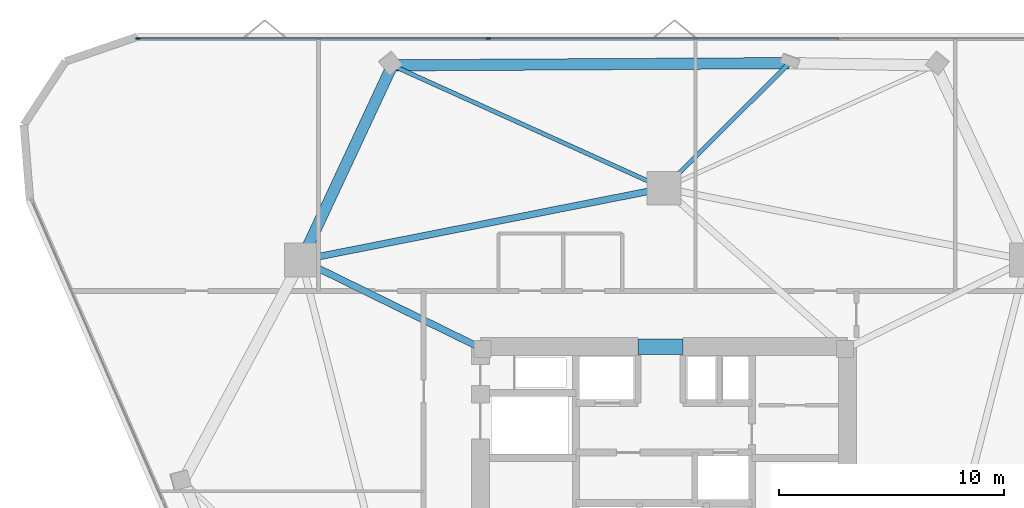
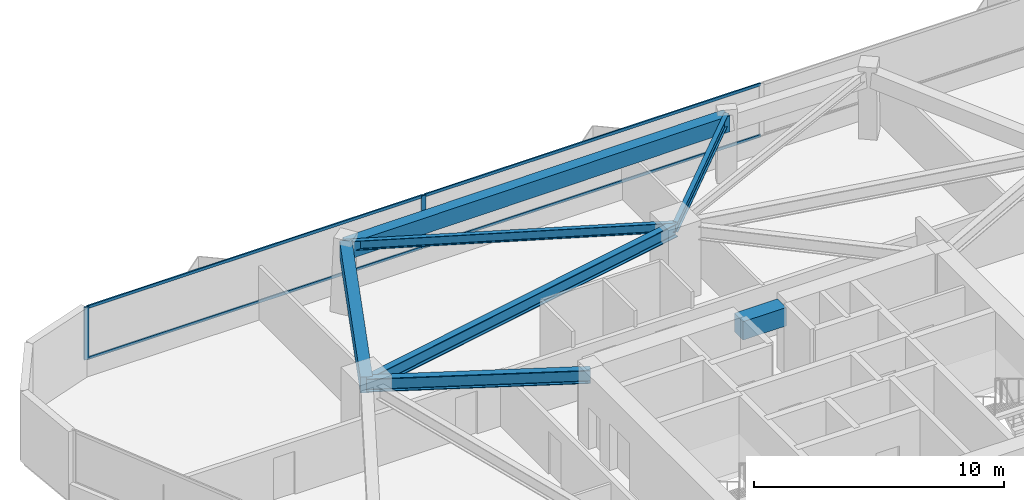
# One storey, part 5 of 11: 7 beams, 6 members, 1 element without a shape of its own.
"""IFC4 building model written with IfcOpenShell, lengths in metres."""

from ifc_helpers import new_model, si_unit, direction, frame, origin, origin_2d, place, context, subcontext, project, spatial, rectangle, i_section, extrude, material, layer, layer_set, material_profile, profile_set, type_object, element, aggregate, save


model = new_model("IFC4")

# Units and contexts
model_context = context("Model", 3, precision=1e-05, world=origin(), true_north=direction((0.0, 1.0)))
body_context = subcontext(model_context, "Body", "Model", "MODEL_VIEW")
ifc_project = project(units=[si_unit("LENGTHUNIT", "METRE"), si_unit("AREAUNIT", "SQUARE_METRE"), si_unit("VOLUMEUNIT", "CUBIC_METRE"), si_unit("PLANEANGLEUNIT", "RADIAN"), si_unit("MASSUNIT", "GRAM", prefix="KILO")], contexts=[model_context])

# Site, building, storey
site_placement = place(None, origin())
site = spatial("IfcSite", under=ifc_project, at=site_placement, CompositionType="ELEMENT")
building_placement = place(site_placement, origin())
building = spatial("IfcBuilding", under=site, at=building_placement, Name="Talyreon Biosciences Tower", CompositionType="ELEMENT")
storey_placement = place(building_placement, frame((0.0, 0.0, 149.10009765625)))
storey = spatial("IfcBuildingStorey", under=building, at=storey_placement, Name="L39", CompositionType="ELEMENT", Elevation=149.10009765625)

# Curtain wall, members
ifc_material_1 = material(Name="Thermally broken aluminium and low-E glazing", Category="aluminium")
ifc_layer = layer(ifc_material_1, 0.205078125)
ifc_layer_set = layer_set([ifc_layer], Name="Thermally broken aluminium and low-E glazing")
curtain_wall_type = type_object("IfcCurtainWallType", Name="CurtainWall_SkyGardenLoggia", PredefinedType="NOTDEFINED", material=ifc_layer_set)
curtain_wall_placement = place(storey_placement, origin())
curtain_wall = element("IfcCurtainWall", 1, at=curtain_wall_placement, inside=storey, type_object=curtain_wall_type, Name="L39 Unitised Curtain Wall FCW-L39-03", PredefinedType="NOTDEFINED")
ifc_material_2 = material(Name="Anodised thermally broken aluminium", Category="aluminium")
ifc_material_profile_1 = material_profile(ifc_material_2, rectangle(XDim=0.074951171875, YDim=0.2099609375, at=origin_2d()), Name="ALUM MULLION 75x210")
ifc_profile_set_1 = profile_set([ifc_material_profile_1], Name="Anodised thermally broken aluminium")
member_type_1 = type_object("IfcMemberType", Name="CWMullion_75x210", PredefinedType="MULLION", material=ifc_profile_set_1)
member_1_placement = place(storey_placement, frame((42.645263671875, 88.439453125, 0.809814453125), z_axis=(0.0, 0.0, 1.0), x_axis=(0.0, 1.0, 0.0)))
member_1 = element("IfcMember", 2, at=member_1_placement, type_object=member_type_1, Name="CW7 mullion 1", PredefinedType="MULLION", context=body_context, shape_type="SweptSolid", body=[
    extrude(rectangle(XDim=0.074951171875, YDim=0.2099609375, at=origin_2d()), origin(), (0.0, 0.0, 1.0), 2.565185546875),
])
member_2_placement = place(storey_placement, frame((58.20263671875, 88.439453125, 0.809814453125), z_axis=(0.0, 0.0, 1.0), x_axis=(0.0, 1.0, 0.0)))
member_2 = element("IfcMember", 3, at=member_2_placement, type_object=member_type_1, Name="CW7 mullion 2", PredefinedType="MULLION", context=body_context, shape_type="SweptSolid", body=[
    extrude(rectangle(XDim=0.074951171875, YDim=0.2099609375, at=origin_2d()), origin(), (0.0, 0.0, 1.0), 2.565185546875),
])
ifc_material_profile_2 = material_profile(ifc_material_2, rectangle(XDim=0.06494140625, YDim=0.139892578125, at=origin_2d()), Name="ALUM TRANSOM 65x140")
ifc_profile_set_2 = profile_set([ifc_material_profile_2], Name="Anodised thermally broken aluminium")
member_type_2 = type_object("IfcMemberType", Name="CWTransom_65x140", PredefinedType="USERDEFINED", material=ifc_profile_set_2)
member_3_placement = place(storey_placement, frame((42.6826171875, 88.439453125, 0.84228515625), z_axis=(1.0, 0.0, 0.0), x_axis=(0.0, 1.0, 0.0)))
member_3 = element("IfcMember", 4, at=member_3_placement, type_object=member_type_2, Name="CW7 transom 1.1", ObjectType="TRANSOM", PredefinedType="USERDEFINED", context=body_context, shape_type="SweptSolid", body=[
    extrude(rectangle(XDim=0.06494140625, YDim=0.139892578125, at=origin_2d()), origin(), (0.0, 0.0, 1.0), 15.482421875),
])
member_4_placement = place(storey_placement, frame((42.6826171875, 88.439453125, 3.34228515625), z_axis=(1.0, 0.0, 0.0), x_axis=(0.0, 1.0, 0.0)))
member_4 = element("IfcMember", 5, at=member_4_placement, type_object=member_type_2, Name="CW7 transom 1.2", ObjectType="TRANSOM", PredefinedType="USERDEFINED", context=body_context, shape_type="SweptSolid", body=[
    extrude(rectangle(XDim=0.06494140625, YDim=0.139892578125, at=origin_2d()), origin(), (0.0, 0.0, 1.0), 15.482421875),
])
member_5_placement = place(storey_placement, frame((58.239990234375, 88.439453125, 0.84228515625), z_axis=(1.0, 0.0, 0.0), x_axis=(0.0, 1.0, 0.0)))
member_5 = element("IfcMember", 6, at=member_5_placement, type_object=member_type_2, Name="CW7 transom 2.1", ObjectType="TRANSOM", PredefinedType="USERDEFINED", context=body_context, shape_type="SweptSolid", body=[
    extrude(rectangle(XDim=0.06494140625, YDim=0.139892578125, at=origin_2d()), origin(), (0.0, 0.0, 1.0), 15.52001953125),
])
member_6_placement = place(storey_placement, frame((58.239990234375, 88.439453125, 3.34228515625), z_axis=(1.0, 0.0, 0.0), x_axis=(0.0, 1.0, 0.0)))
member_6 = element("IfcMember", 7, at=member_6_placement, type_object=member_type_2, Name="CW7 transom 2.2", ObjectType="TRANSOM", PredefinedType="USERDEFINED", context=body_context, shape_type="SweptSolid", body=[
    extrude(rectangle(XDim=0.06494140625, YDim=0.139892578125, at=origin_2d()), origin(), (0.0, 0.0, 1.0), 15.52001953125),
])
aggregate(curtain_wall, [member_1, member_2, member_3, member_4, member_5, member_6])

# Beams
ifc_material_3 = material(Name="Concrete C60/75", Category="concrete")
ifc_material_profile_3 = material_profile(ifc_material_3, rectangle(XDim=0.699951171875, YDim=0.89990234375, at=origin_2d()), Name="RCB 700x900")
ifc_profile_set_3 = profile_set([ifc_material_profile_3], Name="Concrete C60/75")
beam_type_1 = type_object("IfcBeamType", Name="CoreCouplingLintel_700x900", PredefinedType="LINTEL", material=ifc_profile_set_3)
beam_1_placement = place(storey_placement, frame((64.85009765625, 74.75, 2.9248046875), z_axis=(1.0, 0.0, 0.0), x_axis=(0.0, 1.0, 0.0)))
element("IfcBeam", 8, at=beam_1_placement, inside=storey, type_object=beam_type_1, Name="L39 Core Coupling Lintel", PredefinedType="LINTEL", context=body_context, shape_type="SweptSolid", body=[
    extrude(rectangle(XDim=0.699951171875, YDim=0.89990234375, at=origin_2d()), origin(), (0.0, 0.0, 1.0), 2.0),
])
ifc_material_4 = material(Name="Precast concrete C45/55", Category="concrete")
ifc_material_profile_4 = material_profile(ifc_material_4, rectangle(XDim=0.5, YDim=0.780029296875, at=origin_2d()), Name="RCB 500x780")
ifc_profile_set_4 = profile_set([ifc_material_profile_4], Name="Precast concrete C45/55")
beam_type_2 = type_object("IfcBeamType", Name="ExpressedSpandrel_500x780", PredefinedType="SPANDREL", material=ifc_profile_set_4)
beam_2_placement = place(storey_placement, frame((71.56884765625, 87.34716796875, 2.98486328125), z_axis=(-0.999983891024, -0.005676063176, 0.0), x_axis=(0.005676063176, -0.999983891024, 0.0)))
element("IfcBeam", 9, at=beam_2_placement, inside=storey, type_object=beam_type_2, Name="L39 Expressed Horizontal Concrete Spandrel 07", PredefinedType="SPANDREL", context=body_context, shape_type="SweptSolid", body=[
    extrude(rectangle(XDim=0.5, YDim=0.780029296875, at=origin_2d()), origin(), (0.0, 0.0, 1.0), 17.635009765625),
])
beam_3_placement = place(storey_placement, frame((53.93408203125, 87.2470703125, 2.98486328125), z_axis=(-0.422923275634, -0.906165494227, 0.0), x_axis=(0.906165494227, -0.422923275634, 0.0)))
element("IfcBeam", 10, at=beam_3_placement, inside=storey, type_object=beam_type_2, Name="L39 Expressed Horizontal Concrete Spandrel 08", PredefinedType="SPANDREL", context=body_context, shape_type="SweptSolid", body=[
    extrude(rectangle(XDim=0.5, YDim=0.780029296875, at=origin_2d()), origin(), (0.0, 0.0, 1.0), 9.5439453125),
])
ifc_material_5 = material(Name="Steel SM355", Category="steel")
ifc_material_profile_5 = material_profile(ifc_material_5, i_section(OverallWidth=0.300048828125, OverallDepth=0.64990234375, WebThickness=0.01611328125, FlangeThickness=0.031005859375, FilletRadius=0.027099609375, at=origin_2d()), Name="HE650B")
ifc_profile_set_5 = profile_set([ifc_material_profile_5], Name="Steel SM355")
beam_type_3 = type_object("IfcBeamType", Name="SteelBeam_HE650B", PredefinedType="BEAM", material=ifc_profile_set_5)
beam_4_placement = place(storey_placement, frame((66.0, 81.788818359375, 3.0498046875), z_axis=(-0.980933730698, -0.194342522311, 0.0), x_axis=(0.194342522311, -0.980933730698, 0.0)))
element("IfcBeam", 11, at=beam_4_placement, inside=storey, type_object=beam_type_3, Name="L39 Mega-Ring Girder 4", PredefinedType="BEAM", context=body_context, shape_type="SweptSolid", body=[
    extrude(i_section(OverallWidth=0.300048828125, OverallDepth=0.64990234375, WebThickness=0.01611328125, FlangeThickness=0.031005859375, FilletRadius=0.027099609375, at=origin_2d()), origin(), (0.0, 0.0, 1.0), 16.415283203125),
])
beam_5_placement = place(storey_placement, frame((57.949951171875, 74.64990234375, 3.0498046875), z_axis=(-0.897852360314, 0.440296648952, 0.0), x_axis=(-0.440296648952, -0.897852360314, 0.0)))
element("IfcBeam", 12, at=beam_5_placement, inside=storey, type_object=beam_type_3, Name="L39 Radial Primary Girder 5", PredefinedType="BEAM", context=body_context, shape_type="SweptSolid", body=[
    extrude(i_section(OverallWidth=0.300048828125, OverallDepth=0.64990234375, WebThickness=0.01611328125, FlangeThickness=0.031005859375, FilletRadius=0.027099609375, at=origin_2d()), origin(), (0.0, 0.0, 1.0), 8.96826171875),
])
ifc_material_profile_6 = material_profile(ifc_material_5, i_section(OverallWidth=0.18994140625, OverallDepth=0.449951171875, WebThickness=0.009521484375, FlangeThickness=0.0146484375, FilletRadius=0.02099609375, at=origin_2d()), Name="IPE450")
ifc_profile_set_6 = profile_set([ifc_material_profile_6], Name="Steel SM355")
beam_type_4 = type_object("IfcBeamType", Name="SteelJoist_IPE450", PredefinedType="JOIST", material=ifc_profile_set_6)
beam_6_placement = place(storey_placement, frame((66.0, 81.788818359375, 3.14990234375), z_axis=(-0.911111878806, 0.412159124974, 0.0), x_axis=(-0.412159124974, -0.911111878806, 0.0)))
element("IfcBeam", 13, at=beam_6_placement, inside=storey, type_object=beam_type_4, Name="L39 Radial Composite Floor Joist PC-N2", PredefinedType="JOIST", context=body_context, shape_type="SweptSolid", body=[
    extrude(i_section(OverallWidth=0.18994140625, OverallDepth=0.449951171875, WebThickness=0.009521484375, FlangeThickness=0.0146484375, FilletRadius=0.02099609375, at=origin_2d()), origin(), (0.0, 0.0, 1.0), 13.2431640625),
])
ifc_material_profile_7 = material_profile(ifc_material_5, i_section(OverallWidth=0.199951171875, OverallDepth=0.5, WebThickness=0.01025390625, FlangeThickness=0.01611328125, FilletRadius=0.02099609375, at=origin_2d()), Name="IPE500")
ifc_profile_set_7 = profile_set([ifc_material_profile_7], Name="Steel SM355")
beam_type_5 = type_object("IfcBeamType", Name="SteelJoist_IPE500", PredefinedType="JOIST", material=ifc_profile_set_7)
beam_7_placement = place(storey_placement, frame((66.0, 81.788818359375, 3.125), z_axis=(0.707773591965, 0.706439341003, 0.0), x_axis=(-0.706439341003, 0.707773591965, 0.0)))
element("IfcBeam", 14, at=beam_7_placement, inside=storey, type_object=beam_type_5, Name="L39 Radial Composite Floor Joist PL-N", PredefinedType="JOIST", context=body_context, shape_type="SweptSolid", body=[
    extrude(i_section(OverallWidth=0.199951171875, OverallDepth=0.5, WebThickness=0.01025390625, FlangeThickness=0.01611328125, FilletRadius=0.02099609375, at=origin_2d()), origin(), (0.0, 0.0, 1.0), 7.8681640625),
])

save(model, "model.ifc")
